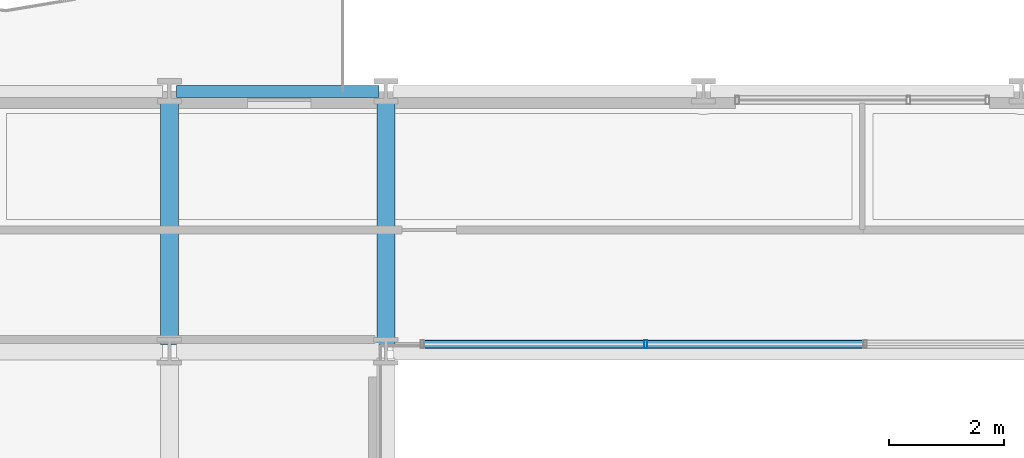
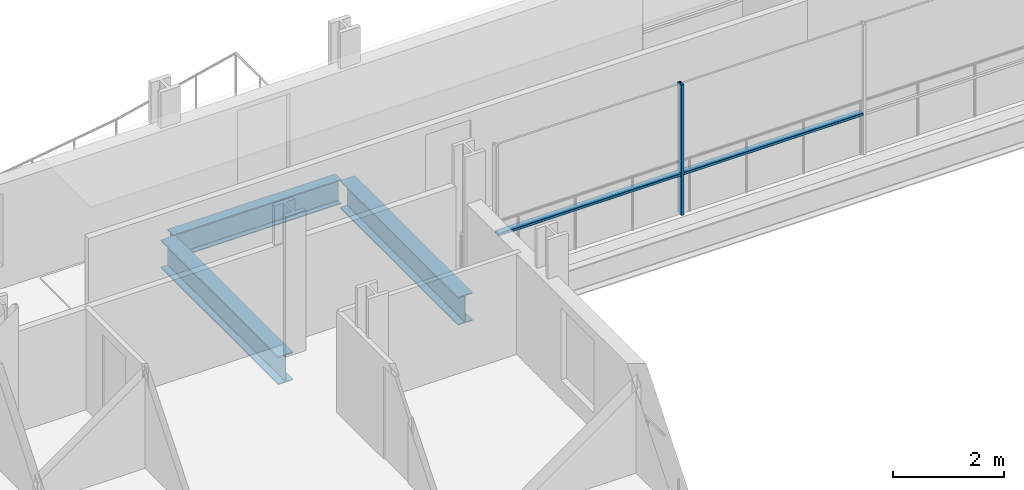
# One storey, part 9 of 38: 3 beams, 3 members, 1 element without a shape of its own.
"""IFC4 building model written with IfcOpenShell, lengths in metres."""

from ifc_helpers import new_model, si_unit, direction, frame, origin, origin_2d, place, context, subcontext, project, spatial, hollow_rectangle, i_section, extrude, material, layer, layer_set, material_profile, profile_set, type_object, element, aggregate, save


model = new_model("IFC4")

# Units and contexts
model_context = context("Model", 3, precision=1e-05, world=origin(), true_north=direction((0.0, 1.0)))
body_context = subcontext(model_context, "Body", "Model", "MODEL_VIEW")
ifc_project = project(units=[si_unit("LENGTHUNIT", "METRE"), si_unit("AREAUNIT", "SQUARE_METRE"), si_unit("VOLUMEUNIT", "CUBIC_METRE"), si_unit("PLANEANGLEUNIT", "RADIAN"), si_unit("MASSUNIT", "GRAM", prefix="KILO")], contexts=[model_context])

# Site, building, storey
site_placement = place(None, origin())
site = spatial("IfcSite", under=ifc_project, at=site_placement, CompositionType="ELEMENT")
building_placement = place(site_placement, origin())
building = spatial("IfcBuilding", under=site, at=building_placement, Name="Brevholm Reach", CompositionType="ELEMENT")
storey_placement = place(building_placement, frame((0.0, 0.0, 46.60009765625)))
storey = spatial("IfcBuildingStorey", under=building, at=storey_placement, Name="L12", CompositionType="ELEMENT", Elevation=46.60009765625)

# Beams
ifc_material_1 = material(Name="Structural Steel S355J2", Category="steel")
ifc_material_profile_1 = material_profile(ifc_material_1, i_section(OverallWidth=0.210693359375, OverallDepth=0.53955078125, WebThickness=0.01171875, FlangeThickness=0.018798828125, FilletRadius=0.0126953125, at=origin_2d()), Name="UKB 533x210x109")
ifc_profile_set_1 = profile_set([ifc_material_profile_1], Name="Structural Steel S355J2")
beam_type_1 = type_object("IfcBeamType", Name="BM-SP539", PredefinedType="SPANDREL", material=ifc_profile_set_1)
beam_placement = place(storey_placement, frame((18.1201171875, 31.0, -0.499755859375), z_axis=(1.0, 0.0, 0.0), x_axis=(0.0, 1.0, 0.0)))
element("IfcBeam", 1, at=beam_placement, inside=storey, type_object=beam_type_1, Name="L12 SP-01B Framing Beam", PredefinedType="SPANDREL", context=body_context, shape_type="SweptSolid", body=[
    extrude(i_section(OverallWidth=0.210693359375, OverallDepth=0.53955078125, WebThickness=0.01171875, FlangeThickness=0.018798828125, FilletRadius=0.0126953125, at=origin_2d()), origin(), (0.0, 0.0, 1.0), 3.509765625),
])
ifc_material_2 = material(Name="Structural Steel S355J2", Category="steel")
ifc_material_profile_2 = material_profile(ifc_material_2, i_section(OverallWidth=0.30712890625, OverallDepth=0.6201171875, WebThickness=0.01416015625, FlangeThickness=0.023681640625, FilletRadius=0.0166015625, at=origin_2d()), Name="UKB 610x305x179")
ifc_profile_set_2 = profile_set([ifc_material_profile_2], Name="Structural Steel S355J2")
beam_type_2 = type_object("IfcBeamType", Name="BM-UKB610H", PredefinedType="USERDEFINED", material=ifc_profile_set_2)
for number, where, z_axis, x_axis, name in (
    (2, (18.0, 26.6201171875, -0.540283203125), (0.0, 1.0, 0.0), (-1.0, 0.0, 0.0), "L12 G-06 Framing Beam"),
    (3, (21.75, 26.6201171875, -0.540283203125), (0.0, 1.0, 0.0), (-1.0, 0.0, 0.0), "L12 G-06 Framing Beam"),
):
    element("IfcBeam", number, at=place(storey_placement, frame(where, z_axis=z_axis, x_axis=x_axis)), inside=storey, type_object=beam_type_2, Name=name, ObjectType="GIRDER", PredefinedType="USERDEFINED", context=body_context, shape_type="SweptSolid", body=[
        extrude(i_section(OverallWidth=0.30712890625, OverallDepth=0.6201171875, WebThickness=0.01416015625, FlangeThickness=0.023681640625, FilletRadius=0.0166015625, at=origin_2d()), origin(), (0.0, 0.0, 1.0), 4.259765625),
    ])

# Curtain wall, members
ifc_material_3 = material(Name="Dark Anodised Aluminium 6063-T6 and Solar-Control Glass", Category="aluminium")
ifc_layer = layer(ifc_material_3, 0.139892578125)
ifc_layer_set = layer_set([ifc_layer], Name="Dark Anodised Aluminium 6063-T6 and Solar-Control Glass")
curtain_wall_type = type_object("IfcCurtainWallType", Name="CW-02", PredefinedType="NOTDEFINED", material=ifc_layer_set)
curtain_wall_placement = place(storey_placement, origin())
curtain_wall = element("IfcCurtainWall", 4, at=curtain_wall_placement, inside=storey, type_object=curtain_wall_type, Name="L12 Curtain Wall CW-02", PredefinedType="NOTDEFINED")
ifc_material_4 = material(Name="Dark Anodised Aluminium 6063-T6", Category="aluminium")
ifc_material_profile_3 = material_profile(ifc_material_4, hollow_rectangle(XDim=0.06005859375, YDim=0.139892578125, WallThickness=0.0048828125, InnerFilletRadius=0.0048828125, OuterFilletRadius=0.010009765625, at=origin_2d()), Name="RHS 140x60x5")
ifc_profile_set_3 = profile_set([ifc_material_profile_3], Name="Dark Anodised Aluminium 6063-T6")
member_type_1 = type_object("IfcMemberType", Name="CWM-140", PredefinedType="MULLION", material=ifc_profile_set_3)
member_1_placement = place(storey_placement, frame((26.25, 26.6201171875, 0.0), z_axis=(0.0, 0.0, 1.0), x_axis=(-1.0, 0.0, 0.0)))
member_1 = element("IfcMember", 5, at=member_1_placement, type_object=member_type_1, Name="CM-140 Mullion 4", PredefinedType="MULLION", context=body_context, shape_type="SweptSolid", body=[
    extrude(hollow_rectangle(XDim=0.06005859375, YDim=0.139892578125, WallThickness=0.0048828125, InnerFilletRadius=0.0048828125, OuterFilletRadius=0.010009765625, at=origin_2d()), origin(), (0.0, 0.0, 1.0), 2.869873046875),
])
ifc_material_5 = material(Name="Dark Anodised Aluminium 6063-T6", Category="aluminium")
ifc_material_profile_4 = material_profile(ifc_material_5, hollow_rectangle(XDim=0.06005859375, YDim=0.139892578125, WallThickness=0.0048828125, InnerFilletRadius=0.0048828125, OuterFilletRadius=0.010009765625, at=origin_2d()), Name="RHS 140x60x5")
ifc_profile_set_4 = profile_set([ifc_material_profile_4], Name="Dark Anodised Aluminium 6063-T6")
member_type_2 = type_object("IfcMemberType", Name="CWT-140", PredefinedType="NOTDEFINED", material=ifc_profile_set_4)
member_2_placement = place(storey_placement, frame((30.02001953125, 26.6201171875, 0.89990234375), z_axis=(-1.0, 0.0, 0.0), x_axis=(0.0, 0.0, 1.0)))
member_2 = element("IfcMember", 6, at=member_2_placement, type_object=member_type_2, Name="CT-140 Transom 3.1", ObjectType="TRANSOM", PredefinedType="USERDEFINED", context=body_context, shape_type="SweptSolid", body=[
    extrude(hollow_rectangle(XDim=0.06005859375, YDim=0.139892578125, WallThickness=0.0048828125, InnerFilletRadius=0.0048828125, OuterFilletRadius=0.010009765625, at=origin_2d()), origin(), (0.0, 0.0, 1.0), 3.739990234375),
])
member_3_placement = place(storey_placement, frame((26.219970703125, 26.6201171875, 0.89990234375), z_axis=(-1.0, 0.0, 0.0), x_axis=(0.0, 0.0, 1.0)))
member_3 = element("IfcMember", 7, at=member_3_placement, type_object=member_type_2, Name="CT-140 Transom 4.1", ObjectType="TRANSOM", PredefinedType="USERDEFINED", context=body_context, shape_type="SweptSolid", body=[
    extrude(hollow_rectangle(XDim=0.06005859375, YDim=0.139892578125, WallThickness=0.0048828125, InnerFilletRadius=0.0048828125, OuterFilletRadius=0.010009765625, at=origin_2d()), origin(), (0.0, 0.0, 1.0), 3.81005859375),
])
aggregate(curtain_wall, [member_1, member_2, member_3])

save(model, "model.ifc")
